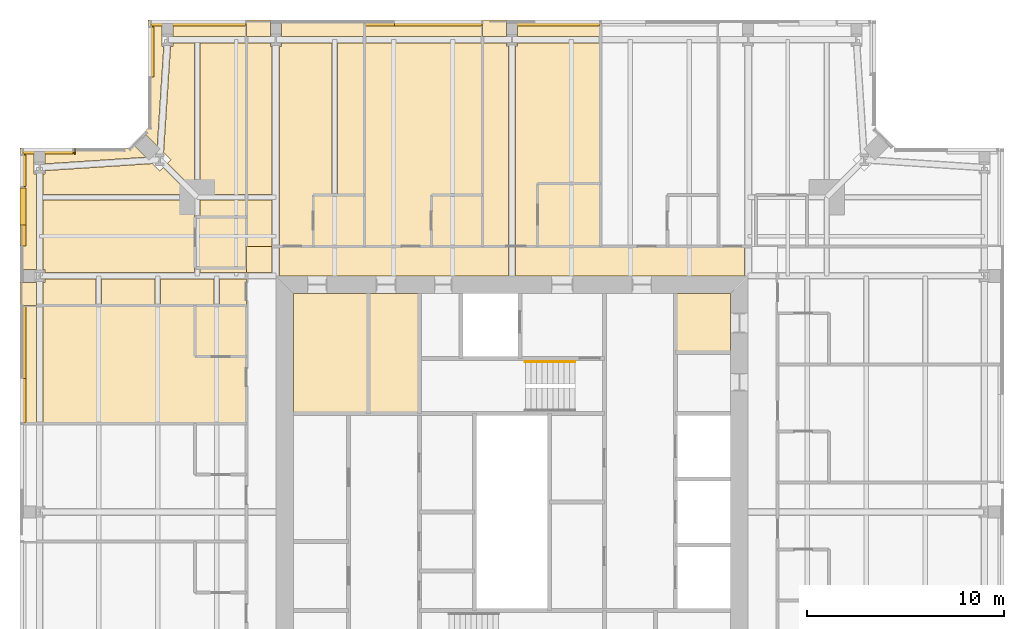
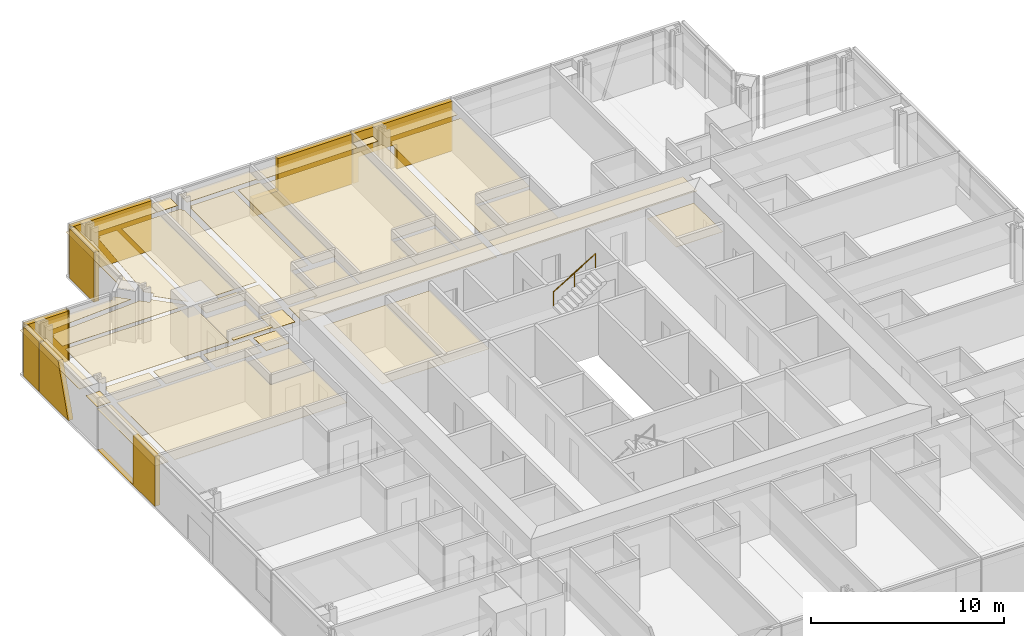
# One storey, part 19 of 20: 49 coverings, 1 railing.
"""IFC4 building model written with IfcOpenShell, lengths in metres."""

import ifcopenshell
import ifcopenshell.guid

model = None  # the IFC model being written
_history = None  # IfcOwnerHistory: only IFC2X3 demands one
_inside = {}  # id of a spatial element -> (the spatial element, [elements in it])
_under = {}  # id of a project, library or spatial element -> (it, [spatial elements below it])
_declared = {}  # id of a project -> (the project, [libraries it declares])
_typed = {}  # id of a type object -> (the type object, [elements of that type])
_made_of = {}  # id of a material, layer set ... -> (it, [elements and type objects made of it])


def new_model(schema):
    """Start an empty IFC model of exactly this schema.

    Asked for "IFC4X3", IfcOpenShell would pick the latest addendum, in which some entities
    have other attributes; the version numbers below select the first issue.
    IFC2X3 requires an IfcOwnerHistory on every rooted entity: one is made here for all.
    """
    global model, _history
    if schema == "IFC4X3":
        model = ifcopenshell.file(schema_version=(4, 3, 0, 0))
    else:
        model = ifcopenshell.file(schema=schema)
    _inside.clear()
    _under.clear()
    _declared.clear()
    _typed.clear()
    _made_of.clear()
    _history = None
    if model.schema == "IFC2X3":
        org = make("IfcOrganization", Name="unknown")
        user = make(
            "IfcPersonAndOrganization",
            ThePerson=make("IfcPerson", FamilyName="unknown"),
            TheOrganization=org,
        )
        app = make(
            "IfcApplication",
            ApplicationDeveloper=org,
            Version="unknown",
            ApplicationFullName="unknown",
            ApplicationIdentifier="unknown",
        )
        _history = make(
            "IfcOwnerHistory",
            OwningUser=user,
            OwningApplication=app,
            ChangeAction="ADDED",
            CreationDate=0,
        )
    return model


def make(cls, **values):
    """One entity of the class cls with the attributes given. An attribute that is None is left unset."""
    return model.create_entity(
        cls, **{name: value for name, value in values.items() if value is not None}
    )


def rooted(cls, **values):
    """An entity with a GlobalId (a new one), such as an element, a storey or a relation."""
    return make(cls, GlobalId=ifcopenshell.guid.new(), OwnerHistory=_history, **values)


def si_unit(unit_type, name, prefix=None):
    """IfcSIUnit, for example si_unit("LENGTHUNIT", "METRE", prefix="MILLI")."""
    return make("IfcSIUnit", UnitType=unit_type, Prefix=prefix, Name=name)


def assignment(units):
    """IfcUnitAssignment: the units of a project."""
    return None if units is None else make("IfcUnitAssignment", Units=units)


def point(xyz):
    """IfcCartesianPoint."""
    return None if xyz is None else make("IfcCartesianPoint", Coordinates=xyz)


def direction(xyz):
    """IfcDirection."""
    return None if xyz is None else make("IfcDirection", DirectionRatios=xyz)


def frame(location, z_axis=None, x_axis=None):
    """IfcAxis2Placement3D, a coordinate frame: its origin and axes. An axis left out is left unset."""
    return make(
        "IfcAxis2Placement3D",
        Location=point(location),
        Axis=direction(z_axis),
        RefDirection=direction(x_axis),
    )


def frame_2d(location, x_axis=None):
    """IfcAxis2Placement2D, a coordinate frame in the plane: its origin and x axis."""
    return make(
        "IfcAxis2Placement2D", Location=point(location), RefDirection=direction(x_axis)
    )


def origin():
    """The frame at (0, 0, 0) with its axes left unset."""
    return frame((0.0, 0.0, 0.0))


def origin_2d():
    """The frame at (0, 0) in the plane with its x axis left unset."""
    return frame_2d((0.0, 0.0))


def place(relative_to, where):
    """IfcLocalPlacement: puts the frame where relative to a parent placement (None: the world)."""
    return make(
        "IfcLocalPlacement", PlacementRelTo=relative_to, RelativePlacement=where
    )


def context(
    kind, dimensions, precision=None, world=None, true_north=None, identifier=None
):
    """IfcGeometricRepresentationContext, for example the 3D "Model" context."""
    return make(
        "IfcGeometricRepresentationContext",
        ContextIdentifier=identifier,
        ContextType=kind,
        CoordinateSpaceDimension=dimensions,
        Precision=precision,
        WorldCoordinateSystem=world,
        TrueNorth=true_north,
    )


def subcontext(parent, identifier, kind, view, scale=None):
    """IfcGeometricRepresentationSubContext, for example "Body" below "Model"."""
    return make(
        "IfcGeometricRepresentationSubContext",
        ContextIdentifier=identifier,
        ContextType=kind,
        ParentContext=parent,
        TargetScale=scale,
        TargetView=view,
    )


def project(units=None, contexts=None):
    """IfcProject with its units and contexts."""
    return rooted(
        "IfcProject",
        Name="project",
        RepresentationContexts=contexts,
        UnitsInContext=assignment(units),
    )


def spatial(cls, under=None, at=None, **own):
    """A site, building, storey or space (cls), placed at a placement, below another one or the project."""
    s = rooted(cls, ObjectPlacement=at, **own)
    if under is not None:
        _under.setdefault(under.id(), (under, []))[1].append(s)
    return s


def polyline(points):
    """IfcPolyline through the points."""
    return make("IfcPolyline", Points=[point(p) for p in points])


def profile(cls, at=None, kind="AREA", **sizes):
    """A parametric profile (cls). Its sizes go by their IFC names, for example OverallWidth=200.0."""
    return make(cls, ProfileType=kind, Position=at, **sizes)


def circle(**sizes):
    """IfcCircleProfileDef."""
    return profile("IfcCircleProfileDef", **sizes)


def outline(outer, holes=None, kind="AREA"):
    """IfcArbitraryClosedProfileDef: a profile drawn as a closed curve; with holes, ...WithVoids."""
    if holes is None:
        return make("IfcArbitraryClosedProfileDef", ProfileType=kind, OuterCurve=outer)
    return make(
        "IfcArbitraryProfileDefWithVoids",
        ProfileType=kind,
        OuterCurve=outer,
        InnerCurves=holes,
    )


def extrude(swept, where, along, depth):
    """IfcExtrudedAreaSolid: the profile swept, set in the frame where, extruded along a direction by depth."""
    return make(
        "IfcExtrudedAreaSolid",
        SweptArea=swept,
        Position=where,
        ExtrudedDirection=direction(along),
        Depth=depth,
    )


def shape(context_of_items, identifier, shape_type, items):
    """IfcShapeRepresentation: the items that make up one representation, for example the "Body"."""
    return make(
        "IfcShapeRepresentation",
        ContextOfItems=context_of_items,
        RepresentationIdentifier=identifier,
        RepresentationType=shape_type,
        Items=items,
    )


def material(Name=None, Category=None):
    """IfcMaterial."""
    return make("IfcMaterial", Name=Name, Category=Category)


def layer(
    of_material, thickness, ventilated=None, Name=None, Category=None, Priority=None
):
    """IfcMaterialLayer: one layer of a wall or slab, of a material (None: an air gap)."""
    return make(
        "IfcMaterialLayer",
        Material=of_material,
        LayerThickness=thickness,
        IsVentilated=ventilated,
        Name=Name,
        Category=Category,
        Priority=Priority,
    )


def layer_set(layers, Name=None):
    """IfcMaterialLayerSet."""
    return make("IfcMaterialLayerSet", MaterialLayers=layers, LayerSetName=Name)


def made_of(thing, what):
    """Note that an element or type object is made of a material, layer set ...; save() writes the relation."""
    if what is not None:
        _made_of.setdefault(what.id(), (what, []))[1].append(thing)
    return thing


def type_object(cls, material=None, **own):
    """A type object (cls), such as IfcWallType, which elements share."""
    return made_of(rooted(cls, **own), material)


def element(
    cls,
    number,
    at=None,
    inside=None,
    cuts=None,
    type_object=None,
    material=None,
    context=None,
    identifier="Body",
    shape_type=None,
    held_by="IfcProductDefinitionShape",
    body=None,
    shapes=None,
    **own,
):
    """One element of the class cls, such as IfcWall. Its Tag is "e" and its number.

    at: its placement. inside: the storey or other place that contains it. cuts: it is an
    opening in that element (IfcRelVoidsElement). A single representation is given by context,
    identifier, shape_type and body (its items); several are given by shapes. held_by: the class
    of the entity that holds the representations. save() writes the other relations.
    """
    e = rooted(cls, Tag="e%d" % number, ObjectPlacement=at, **own)
    if body is not None:
        shapes = [shape(context, identifier, shape_type, body)]
    if shapes is not None:
        e.Representation = make(held_by, Representations=shapes)
    if inside is not None:
        _inside.setdefault(inside.id(), (inside, []))[1].append(e)
    if cuts is not None:
        rooted(
            "IfcRelVoidsElement", RelatingBuildingElement=cuts, RelatedOpeningElement=e
        )
    if type_object is not None:
        _typed.setdefault(type_object.id(), (type_object, []))[1].append(e)
    return made_of(e, material)


def aggregate(whole, parts):
    """IfcRelAggregates: a whole, such as a stair, and the parts it consists of."""
    return rooted("IfcRelAggregates", RelatingObject=whole, RelatedObjects=parts)


def save(model, path):
    """Write the relations noted so far, then the file.

    IfcRelAggregates (storeys below a building ...), IfcRelContainedInSpatialStructure (elements
    in a storey), IfcRelDefinesByType, IfcRelAssociatesMaterial and IfcRelDeclares: one each for
    every whole, place, type object, material and project.
    """
    for whole, parts in _under.values():
        aggregate(whole, parts)
    for where, things in _inside.values():
        rooted(
            "IfcRelContainedInSpatialStructure",
            RelatedElements=things,
            RelatingStructure=where,
        )
    for kind, things in _typed.values():
        rooted("IfcRelDefinesByType", RelatedObjects=things, RelatingType=kind)
    for what, things in _made_of.values():
        rooted("IfcRelAssociatesMaterial", RelatedObjects=things, RelatingMaterial=what)
    for by, libraries in _declared.values():
        rooted("IfcRelDeclares", RelatingContext=by, RelatedDefinitions=libraries)
    model.write(path)


model = new_model("IFC4")

# Units and contexts
model_context = context("Model", 3, precision=1e-05, world=origin(), true_north=direction((0.0, 1.0)))
body_context = subcontext(model_context, "Body", "Model", "MODEL_VIEW")
ifc_project = project(units=[si_unit("LENGTHUNIT", "METRE"), si_unit("AREAUNIT", "SQUARE_METRE"), si_unit("VOLUMEUNIT", "CUBIC_METRE"), si_unit("PLANEANGLEUNIT", "RADIAN"), si_unit("MASSUNIT", "GRAM", prefix="KILO")], contexts=[model_context])

# Site, building, storey
site_placement = place(None, origin())
site = spatial("IfcSite", under=ifc_project, at=site_placement, CompositionType="ELEMENT")
building_placement = place(site_placement, origin())
building = spatial("IfcBuilding", under=site, at=building_placement, Name="Fenwick Lantern Interchange", CompositionType="ELEMENT")
storey_placement = place(building_placement, frame((0.0, 0.0, 249.199951171875)))
storey = spatial("IfcBuildingStorey", under=building, at=storey_placement, Name="L58", CompositionType="ELEMENT", Elevation=249.199951171875)

# Coverings
ifc_material_1 = material(Name="Granite cladding, warm grey flamed finish, on aluminium carrier frame", Category="masonry")
ifc_layer_1 = layer(ifc_material_1, 0.300048828125)
ifc_layer_set_1 = layer_set([ifc_layer_1], Name="BRACE CASING PANEL 300")
covering_type_1 = type_object("IfcCoveringType", Name="BRACE CASING PANEL 300", PredefinedType="CLADDING", material=ifc_layer_set_1)
covering_1_placement = place(storey_placement, frame((43.39990234375, 49.89990234375, 0.0), z_axis=(0.0, 0.0, 1.0), x_axis=(-1.0, 0.0, 0.0)))
element("IfcCovering", 1, at=covering_1_placement, inside=storey, type_object=covering_type_1, Name="Brace casing 09 bay 03a", PredefinedType="CLADDING", context=body_context, shape_type="SweptSolid", body=[
    extrude(outline(polyline([(13.929931640625, 0.0), (17.238037109375, 0.0), (17.238037109375, 1.580078125), (19.56298828125, 1.580078125), (19.56298828125, 0.0), (19.8701171875, 0.0), (19.8701171875, 3.150146484375), (13.929931640625, 3.150146484375), (13.929931640625, 0.0)])), frame((0.0, 0.2099609375, 0.0), z_axis=(0.0, -1.0, 0.0), x_axis=(1.0, 0.0, 0.0)), (0.0, 0.0, 1.0), 0.300048828125),
])
covering_2_placement = place(storey_placement, frame((43.39990234375, 49.89990234375, 0.0), z_axis=(0.0, 0.0, 1.0), x_axis=(-1.0, 0.0, 0.0)))
element("IfcCovering", 2, at=covering_2_placement, inside=storey, type_object=covering_type_1, Name="Brace casing 09 bay 04a", PredefinedType="CLADDING", context=body_context, shape_type="SweptSolid", body=[
    extrude(outline(polyline([(19.929931640625, 0.0), (25.8701171875, 0.0), (25.8701171875, 1.120361328125), (24.372802734375, 1.120361328125), (24.372802734375, 3.150146484375), (19.929931640625, 3.150146484375), (19.929931640625, 0.0)])), frame((0.0, 0.2099609375, 0.0), z_axis=(0.0, -1.0, 0.0), x_axis=(1.0, 0.0, 0.0)), (0.0, 0.0, 1.0), 0.300048828125),
])
covering_3_placement = place(storey_placement, frame((43.39990234375, 49.89990234375, 0.0), z_axis=(0.0, 0.0, 1.0), x_axis=(-1.0, 0.0, 0.0)))
element("IfcCovering", 3, at=covering_3_placement, inside=storey, type_object=covering_type_1, Name="Brace casing 09 bay 06a", PredefinedType="CLADDING", context=body_context, shape_type="SweptSolid", body=[
    extrude(outline(polyline([(31.929931640625, 0.0), (36.739990234375, 0.0), (36.739990234375, 3.150146484375), (31.929931640625, 3.150146484375), (31.929931640625, 0.0)])), frame((0.0, 0.2099609375, 0.0), z_axis=(0.0, -1.0, 0.0), x_axis=(1.0, 0.0, 0.0)), (0.0, 0.0, 1.0), 0.300048828125),
])
covering_4_placement = place(storey_placement, frame((6.60009765625, 49.89990234375, 0.0), z_axis=(0.0, 0.0, 1.0), x_axis=(0.0, -1.0, 0.0)))
element("IfcCovering", 4, at=covering_4_placement, inside=storey, type_object=covering_type_1, Name="Brace casing 10 bay 00a", PredefinedType="CLADDING", context=body_context, shape_type="SweptSolid", body=[
    extrude(outline(polyline([(0.260009765625, 0.0), (2.790771484375, 0.0), (2.790771484375, 3.150146484375), (0.260009765625, 3.150146484375), (0.260009765625, 0.0)])), frame((0.0, 0.2099609375, 0.0), z_axis=(0.0, -1.0, 0.0), x_axis=(1.0, 0.0, 0.0)), (0.0, 0.0, 1.0), 0.300048828125),
])
covering_5_placement = place(storey_placement, frame((5.54150390625, 43.39990234375, 0.0), z_axis=(0.0, 0.0, 1.0), x_axis=(-1.0, 0.0, 0.0)))
element("IfcCovering", 5, at=covering_5_placement, inside=storey, type_object=covering_type_1, Name="Brace casing 12 bay 00a", PredefinedType="CLADDING", context=body_context, shape_type="SweptSolid", body=[
    extrude(outline(polyline([(2.741455078125, 0.0), (2.790771484375, 0.0), (2.790771484375, 3.150146484375), (2.741455078125, 3.150146484375), (2.741455078125, 0.0)])), frame((0.0, 0.2099609375, 0.0), z_axis=(0.0, -1.0, 0.0), x_axis=(1.0, 0.0, 0.0)), (0.0, 0.0, 1.0), 0.300048828125),
])
covering_6_placement = place(storey_placement, frame((5.54150390625, 43.39990234375, 0.0), z_axis=(0.0, 0.0, 1.0), x_axis=(-1.0, 0.0, 0.0)))
element("IfcCovering", 6, at=covering_6_placement, inside=storey, type_object=covering_type_1, Name="Brace casing 12 bay 01a", PredefinedType="CLADDING", context=body_context, shape_type="SweptSolid", body=[
    extrude(outline(polyline([(2.850830078125, 0.0), (5.38134765625, 0.0), (5.38134765625, 3.150146484375), (2.850830078125, 3.150146484375), (2.850830078125, 0.0)])), frame((0.0, 0.2099609375, 0.0), z_axis=(0.0, -1.0, 0.0), x_axis=(1.0, 0.0, 0.0)), (0.0, 0.0, 1.0), 0.300048828125),
])
covering_7_placement = place(storey_placement, frame((0.10009765625, 43.39990234375, 0.0), z_axis=(0.0, 0.0, 1.0), x_axis=(0.0, -1.0, 0.0)))
element("IfcCovering", 7, at=covering_7_placement, inside=storey, type_object=covering_type_1, Name="Brace casing 13 bay 00a", PredefinedType="CLADDING", context=body_context, shape_type="SweptSolid", body=[
    extrude(outline(polyline([(0.260009765625, 0.0), (1.8701171875, 0.0), (1.8701171875, 3.150146484375), (0.260009765625, 3.150146484375), (0.260009765625, 0.0)])), frame((0.0, 0.2099609375, 0.0), z_axis=(0.0, -1.0, 0.0), x_axis=(1.0, 0.0, 0.0)), (0.0, 0.0, 1.0), 0.300048828125),
])
covering_8_placement = place(storey_placement, frame((0.10009765625, 43.39990234375, 0.0), z_axis=(0.0, 0.0, 1.0), x_axis=(0.0, -1.0, 0.0)))
element("IfcCovering", 8, at=covering_8_placement, inside=storey, type_object=covering_type_1, Name="Brace casing 13 bay 01a", PredefinedType="CLADDING", context=body_context, shape_type="SweptSolid", body=[
    extrude(outline(polyline([(1.929931640625, 0.0), (4.890869140625, 0.0), (3.827392578125, 3.150146484375), (1.929931640625, 3.150146484375), (1.929931640625, 0.0)])), frame((0.0, 0.2099609375, 0.0), z_axis=(0.0, -1.0, 0.0), x_axis=(1.0, 0.0, 0.0)), (0.0, 0.0, 1.0), 0.300048828125),
])
covering_9_placement = place(storey_placement, frame((0.10009765625, 43.39990234375, 0.0), z_axis=(0.0, 0.0, 1.0), x_axis=(0.0, -1.0, 0.0)))
element("IfcCovering", 9, at=covering_9_placement, inside=storey, type_object=covering_type_1, Name="Brace casing 13 bay 02a", PredefinedType="CLADDING", context=body_context, shape_type="SweptSolid", body=[
    extrude(outline(polyline([(7.929931640625, 0.0), (13.8701171875, 0.0), (13.8701171875, 3.150146484375), (11.60498046875, 3.150146484375), (11.60498046875, 0.00439453125), (7.929931640625, 0.00439453125), (7.929931640625, 0.0)])), frame((0.0, 0.2099609375, 0.0), z_axis=(0.0, -1.0, 0.0), x_axis=(1.0, 0.0, 0.0)), (0.0, 0.0, 1.0), 0.300048828125),
])

# Railing
ifc_material_2 = material(Name="Stainless steel handrail", Category="steel")
railing_type = type_object("IfcRailingType", Name="HANDRAIL 900", PredefinedType="HANDRAIL", material=ifc_material_2)
railing_placement = place(storey_placement, frame((25.679931640625, 32.6259765625, 1.8701171875)))
element("IfcRailing", 10, at=railing_placement, inside=storey, type_object=railing_type, Name="L58/STAIR/ST2/HR2", PredefinedType="HANDRAIL", context=body_context, shape_type="SweptSolid", body=[
    extrude(circle(Radius=0.02392578125, at=origin_2d()), frame((0.0, 0.0, 0.8759765625), z_axis=(0.85478489116, 0.0, 0.518982456201), x_axis=(0.0, 1.0, 0.0)), (0.0, 0.0, 1.0), 2.9482421875),
    extrude(circle(Radius=0.02099609375, at=origin_2d()), origin(), (0.0, 0.0, 1.0), 0.851806640625),
    extrude(circle(Radius=0.02099609375, at=origin_2d()), frame((1.260009765625, 0.0, 0.76513671875)), (0.0, 0.0, 1.0), 0.851806640625),
    extrude(circle(Radius=0.02099609375, at=origin_2d()), frame((2.52001953125, 0.0, 1.530029296875)), (0.0, 0.0, 1.0), 0.851806640625),
])

# Coverings
ifc_material_3 = material(Name="Moisture resistant gypsum board on suspended frame, painted")
ifc_layer_2 = layer(ifc_material_3, 0.014892578125)
ifc_layer_set_2 = layer_set([ifc_layer_2], Name="MOISTURE RESISTANT CEILING 15")
covering_type_2 = type_object("IfcCoveringType", Name="MOISTURE RESISTANT CEILING 15", PredefinedType="CEILING", material=ifc_layer_set_2)
covering_10_placement = place(storey_placement, frame((0.0, 0.0, 2.60009765625)))
element("IfcCovering", 11, at=covering_10_placement, inside=storey, type_object=covering_type_2, Name="Men's WC ceiling", PredefinedType="CEILING", context=body_context, shape_type="SweptSolid", body=[
    extrude(outline(polyline([(20.300048828125, 36.10009765625), (17.699951171875, 36.10009765625), (17.699951171875, 30.0), (20.300048828125, 30.0), (20.300048828125, 36.10009765625)])), origin(), (0.0, 0.0, 1.0), 0.014892578125),
])
covering_11_placement = place(storey_placement, frame((0.0, 0.0, 2.60009765625)))
element("IfcCovering", 12, at=covering_11_placement, inside=storey, type_object=covering_type_2, Name="Women's WC ceiling", PredefinedType="CEILING", context=body_context, shape_type="SweptSolid", body=[
    extrude(outline(polyline([(17.699951171875, 36.10009765625), (13.89990234375, 36.10009765625), (13.89990234375, 30.0), (17.699951171875, 30.0), (17.699951171875, 36.10009765625)])), origin(), (0.0, 0.0, 1.0), 0.014892578125),
])
covering_12_placement = place(storey_placement, frame((0.0, 0.0, 2.60009765625)))
element("IfcCovering", 13, at=covering_12_placement, inside=storey, type_object=covering_type_2, Name="Accessible WC ceiling", PredefinedType="CEILING", context=body_context, shape_type="SweptSolid", body=[
    extrude(outline(polyline([(36.10009765625, 36.10009765625), (33.300048828125, 36.10009765625), (33.300048828125, 33.10009765625), (36.10009765625, 33.10009765625), (36.10009765625, 36.10009765625)])), origin(), (0.0, 0.0, 1.0), 0.014892578125),
])
covering_13_placement = place(storey_placement, frame((0.0, 0.0, 2.400146484375)))
element("IfcCovering", 14, at=covering_13_placement, inside=storey, type_object=covering_type_2, Name="En-suite 5813 ceiling", PredefinedType="CEILING", context=body_context, shape_type="SweptSolid", body=[
    extrude(outline(polyline([(29.5, 41.699951171875), (26.300048828125, 41.699951171875), (26.300048828125, 38.5), (29.5, 38.5), (29.5, 41.699951171875)])), origin(), (0.0, 0.0, 1.0), 0.014892578125),
])
covering_14_placement = place(storey_placement, frame((0.0, 0.0, 2.400146484375)))
element("IfcCovering", 15, at=covering_14_placement, inside=storey, type_object=covering_type_2, Name="En-suite 5814 ceiling", PredefinedType="CEILING", context=body_context, shape_type="SweptSolid", body=[
    extrude(outline(polyline([(23.5, 41.10009765625), (20.89990234375, 41.10009765625), (20.89990234375, 38.5), (23.5, 38.5), (23.5, 41.10009765625)])), origin(), (0.0, 0.0, 1.0), 0.014892578125),
])
covering_15_placement = place(storey_placement, frame((0.0, 0.0, 2.400146484375)))
element("IfcCovering", 16, at=covering_15_placement, inside=storey, type_object=covering_type_2, Name="En-suite 5815 ceiling", PredefinedType="CEILING", context=body_context, shape_type="SweptSolid", body=[
    extrude(outline(polyline([(17.5, 41.10009765625), (14.89990234375, 41.10009765625), (14.89990234375, 38.5), (17.5, 38.5), (17.5, 41.10009765625)])), origin(), (0.0, 0.0, 1.0), 0.014892578125),
])
covering_16_placement = place(storey_placement, frame((0.0, 0.0, 2.400146484375)))
element("IfcCovering", 17, at=covering_16_placement, inside=storey, type_object=covering_type_2, Name="En-suite 5816 ceiling", PredefinedType="CEILING", context=body_context, shape_type="SweptSolid", body=[
    extrude(outline(polyline([(8.89990234375, 40.0), (8.89990234375, 37.39990234375), (11.5, 37.39990234375), (11.5, 40.0), (8.89990234375, 40.0)])), origin(), (0.0, 0.0, 1.0), 0.014892578125),
])
covering_17_placement = place(storey_placement, frame((0.0, 0.0, 2.400146484375)))
element("IfcCovering", 18, at=covering_17_placement, inside=storey, type_object=covering_type_2, Name="En-suite 5817 ceiling", PredefinedType="CEILING", context=body_context, shape_type="SweptSolid", body=[
    extrude(outline(polyline([(8.89990234375, 35.5), (8.89990234375, 32.89990234375), (11.5, 32.89990234375), (11.5, 35.5), (8.89990234375, 35.5)])), origin(), (0.0, 0.0, 1.0), 0.014892578125),
])
ifc_material_4 = material(Name="Gypsum plasterboard on suspended frame, painted")
ifc_layer_3 = layer(ifc_material_4, 0.014892578125)
ifc_layer_set_3 = layer_set([ifc_layer_3], Name="PLASTERBOARD CEILING 15")
covering_type_3 = type_object("IfcCoveringType", Name="PLASTERBOARD CEILING 15", PredefinedType="CEILING", material=ifc_layer_set_3)
covering_18_placement = place(storey_placement, frame((0.0, 0.0, 2.572998046875)))
element("IfcCovering", 19, at=covering_18_placement, inside=storey, type_object=covering_type_3, Name="Corridor ceiling", PredefinedType="CEILING", context=body_context, shape_type="SweptSolid", body=[
    extrude(outline(polyline([(24.816162109375, 38.5), (13.183837890625, 38.5), (13.183837890625, 37.0), (24.816162109375, 37.0), (24.816162109375, 38.5)])), origin(), (0.0, 0.0, 1.0), 0.014892578125),
])
covering_19_placement = place(storey_placement, frame((0.0, 0.0, 2.572998046875)))
element("IfcCovering", 20, at=covering_19_placement, inside=storey, type_object=covering_type_3, Name="Corridor ceiling", PredefinedType="CEILING", context=body_context, shape_type="SweptSolid", body=[
    extrude(outline(polyline([(36.816162109375, 38.5), (25.183837890625, 38.5), (25.183837890625, 37.0), (36.816162109375, 37.0), (36.816162109375, 38.5)])), origin(), (0.0, 0.0, 1.0), 0.014892578125),
])
covering_20_placement = place(storey_placement, frame((0.0, 0.0, 2.572998046875)))
element("IfcCovering", 21, at=covering_20_placement, inside=storey, type_object=covering_type_3, Name="Corridor ceiling", PredefinedType="CEILING", context=body_context, shape_type="SweptSolid", body=[
    extrude(outline(polyline([(12.816162109375, 38.5), (11.5, 38.5), (11.5, 37.166015625), (12.816162109375, 37.166015625), (12.816162109375, 38.5)])), origin(), (0.0, 0.0, 1.0), 0.014892578125),
])
covering_21_placement = place(storey_placement, frame((0.0, 0.0, 2.572998046875)))
element("IfcCovering", 22, at=covering_21_placement, inside=storey, type_object=covering_type_3, Name="Guest room 5813 ceiling", PredefinedType="CEILING", context=body_context, shape_type="SweptSolid", body=[
    extrude(outline(polyline([(25.27099609375, 48.6845703125), (25.183837890625, 48.6845703125), (25.183837890625, 38.5), (26.300048828125, 38.5), (26.300048828125, 41.699951171875), (29.5, 41.699951171875), (29.5, 48.82763671875), (25.27099609375, 48.82763671875), (25.27099609375, 48.6845703125)])), origin(), (0.0, 0.0, 1.0), 0.014892578125),
])
covering_22_placement = place(storey_placement, frame((0.0, 0.0, 2.572998046875)))
element("IfcCovering", 23, at=covering_22_placement, inside=storey, type_object=covering_type_3, Name="Guest room 5813 ceiling", PredefinedType="CEILING", context=body_context, shape_type="SweptSolid", body=[
    extrude(outline(polyline([(24.72900390625, 48.6845703125), (24.72900390625, 48.82763671875), (23.5, 48.82763671875), (23.5, 38.5), (24.816162109375, 38.5), (24.816162109375, 48.6845703125), (24.72900390625, 48.6845703125)])), origin(), (0.0, 0.0, 1.0), 0.014892578125),
])
covering_23_placement = place(storey_placement, frame((0.0, 0.0, 2.572998046875)))
element("IfcCovering", 24, at=covering_23_placement, inside=storey, type_object=covering_type_3, Name="Guest room 5813 ceiling", PredefinedType="CEILING", context=body_context, shape_type="SweptSolid", body=[
    extrude(outline(polyline([(25.27099609375, 50.0), (25.27099609375, 49.17236328125), (29.5, 49.17236328125), (29.5, 50.0), (25.27099609375, 50.0)])), origin(), (0.0, 0.0, 1.0), 0.014892578125),
])
covering_24_placement = place(storey_placement, frame((0.0, 0.0, 2.572998046875)))
element("IfcCovering", 25, at=covering_24_placement, inside=storey, type_object=covering_type_3, Name="Guest room 5813 ceiling", PredefinedType="CEILING", context=body_context, shape_type="SweptSolid", body=[
    extrude(outline(polyline([(24.72900390625, 50.0), (23.5, 50.0), (23.5, 49.17236328125), (24.72900390625, 49.17236328125), (24.72900390625, 50.0)])), origin(), (0.0, 0.0, 1.0), 0.014892578125),
])
covering_25_placement = place(storey_placement, frame((0.0, 0.0, 2.572998046875)))
element("IfcCovering", 26, at=covering_25_placement, inside=storey, type_object=covering_type_3, Name="Guest room 5814 ceiling", PredefinedType="CEILING", context=body_context, shape_type="SweptSolid", body=[
    extrude(outline(polyline([(17.5, 48.82763671875), (17.5, 38.5), (20.89990234375, 38.5), (20.89990234375, 41.10009765625), (23.5, 41.10009765625), (23.5, 48.82763671875), (17.5, 48.82763671875)])), origin(), (0.0, 0.0, 1.0), 0.014892578125),
])
covering_26_placement = place(storey_placement, frame((0.0, 0.0, 2.572998046875)))
element("IfcCovering", 27, at=covering_26_placement, inside=storey, type_object=covering_type_3, Name="Guest room 5814 ceiling", PredefinedType="CEILING", context=body_context, shape_type="SweptSolid", body=[
    extrude(outline(polyline([(17.5, 50.0), (17.5, 49.17236328125), (23.5, 49.17236328125), (23.5, 50.0), (17.5, 50.0)])), origin(), (0.0, 0.0, 1.0), 0.014892578125),
])
covering_27_placement = place(storey_placement, frame((0.0, 0.0, 2.699951171875)))
element("IfcCovering", 28, at=covering_27_placement, inside=storey, type_object=covering_type_3, Name="Guest room 5815 ceiling", PredefinedType="CEILING", context=body_context, shape_type="SweptSolid", body=[
    extrude(outline(polyline([(13.27734375, 48.66552734375), (13.183837890625, 48.66552734375), (13.183837890625, 38.5), (14.89990234375, 38.5), (14.89990234375, 41.10009765625), (15.865478515625, 41.10009765625), (15.865478515625, 48.82763671875), (13.27734375, 48.82763671875), (13.27734375, 48.66552734375)])), origin(), (0.0, 0.0, 1.0), 0.01513671875),
])
covering_28_placement = place(storey_placement, frame((0.0, 0.0, 2.699951171875)))
element("IfcCovering", 29, at=covering_28_placement, inside=storey, type_object=covering_type_3, Name="Guest room 5815 ceiling", PredefinedType="CEILING", context=body_context, shape_type="SweptSolid", body=[
    extrude(outline(polyline([(17.5, 41.10009765625), (17.5, 48.82763671875), (16.134521484375, 48.82763671875), (16.134521484375, 41.10009765625), (17.5, 41.10009765625)])), origin(), (0.0, 0.0, 1.0), 0.01513671875),
])
covering_29_placement = place(storey_placement, frame((0.0, 0.0, 2.699951171875)))
element("IfcCovering", 30, at=covering_29_placement, inside=storey, type_object=covering_type_3, Name="Guest room 5815 ceiling", PredefinedType="CEILING", context=body_context, shape_type="SweptSolid", body=[
    extrude(outline(polyline([(12.72265625, 48.66552734375), (12.72265625, 48.82763671875), (11.5, 48.82763671875), (11.5, 41.134521484375), (12.816162109375, 41.134521484375), (12.816162109375, 48.66552734375), (12.72265625, 48.66552734375)])), origin(), (0.0, 0.0, 1.0), 0.01513671875),
])
covering_30_placement = place(storey_placement, frame((0.0, 0.0, 2.699951171875)))
element("IfcCovering", 31, at=covering_30_placement, inside=storey, type_object=covering_type_3, Name="Guest room 5815 ceiling", PredefinedType="CEILING", context=body_context, shape_type="SweptSolid", body=[
    extrude(outline(polyline([(13.27734375, 50.0), (13.27734375, 49.17236328125), (17.5, 49.17236328125), (17.5, 50.0), (13.27734375, 50.0)])), origin(), (0.0, 0.0, 1.0), 0.01513671875),
])
covering_31_placement = place(storey_placement, frame((0.0, 0.0, 2.699951171875)))
element("IfcCovering", 32, at=covering_31_placement, inside=storey, type_object=covering_type_3, Name="Guest room 5815 ceiling", PredefinedType="CEILING", context=body_context, shape_type="SweptSolid", body=[
    extrude(outline(polyline([(11.5, 38.5), (12.816162109375, 38.5), (12.816162109375, 40.865478515625), (11.5, 40.865478515625), (11.5, 38.5)])), origin(), (0.0, 0.0, 1.0), 0.01513671875),
])
covering_32_placement = place(storey_placement, frame((0.0, 0.0, 2.699951171875)))
element("IfcCovering", 33, at=covering_32_placement, inside=storey, type_object=covering_type_3, Name="Guest room 5815 ceiling", PredefinedType="CEILING", context=body_context, shape_type="SweptSolid", body=[
    extrude(outline(polyline([(12.72265625, 50.0), (11.5, 50.0), (11.5, 49.17236328125), (12.72265625, 49.17236328125), (12.72265625, 50.0)])), origin(), (0.0, 0.0, 1.0), 0.01513671875),
])
covering_33_placement = place(storey_placement, frame((0.0, 0.0, 2.699951171875)))
element("IfcCovering", 34, at=covering_33_placement, inside=storey, type_object=covering_type_3, Name="Guest suite 5816 ceiling", PredefinedType="CEILING", context=body_context, shape_type="SweptSolid", body=[
    extrude(outline(polyline([(1.27734375, 37.33447265625), (1.27734375, 37.166015625), (8.865478515625, 37.166015625), (8.865478515625, 40.865478515625), (1.17236328125, 40.865478515625), (1.17236328125, 37.33447265625), (1.27734375, 37.33447265625)])), origin(), (0.0, 0.0, 1.0), 0.01513671875),
])
covering_34_placement = place(storey_placement, frame((0.0, 0.0, 2.699951171875)))
element("IfcCovering", 35, at=covering_34_placement, inside=storey, type_object=covering_type_3, Name="Guest suite 5816 ceiling", PredefinedType="CEILING", context=body_context, shape_type="SweptSolid", body=[
    extrude(outline(polyline([(11.5, 41.134521484375), (11.5, 48.82763671875), (9.134521484375, 48.82763671875), (9.134521484375, 41.134521484375), (11.5, 41.134521484375)])), origin(), (0.0, 0.0, 1.0), 0.01513671875),
])
covering_35_placement = place(storey_placement, frame((0.0, 0.0, 2.699951171875)))
element("IfcCovering", 36, at=covering_35_placement, inside=storey, type_object=covering_type_3, Name="Guest suite 5816 ceiling", PredefinedType="CEILING", context=body_context, shape_type="SweptSolid", body=[
    extrude(outline(polyline([(1.27734375, 42.16552734375), (1.17236328125, 42.16552734375), (1.17236328125, 41.134521484375), (8.648681640625, 41.134521484375), (7.28271484375, 42.500244140625), (7.10009765625, 42.3173828125), (6.715576171875, 42.701904296875), (1.27734375, 42.345458984375), (1.27734375, 42.16552734375)])), origin(), (0.0, 0.0, 1.0), 0.01513671875),
])
covering_36_placement = place(storey_placement, frame((0.0, 0.0, 2.699951171875)))
element("IfcCovering", 37, at=covering_36_placement, inside=storey, type_object=covering_type_3, Name="Guest suite 5816 ceiling", PredefinedType="CEILING", context=body_context, shape_type="SweptSolid", body=[
    extrude(outline(polyline([(7.77734375, 48.66552734375), (7.65087890625, 48.66552734375), (7.298095703125, 43.284423828125), (7.6826171875, 42.89990234375), (7.499755859375, 42.71728515625), (8.865478515625, 41.351318359375), (8.865478515625, 48.82763671875), (7.77734375, 48.82763671875), (7.77734375, 48.66552734375)])), origin(), (0.0, 0.0, 1.0), 0.01513671875),
])
covering_37_placement = place(storey_placement, frame((0.0, 0.0, 2.699951171875)))
element("IfcCovering", 38, at=covering_37_placement, inside=storey, type_object=covering_type_3, Name="Guest suite 5816 ceiling", PredefinedType="CEILING", context=body_context, shape_type="SweptSolid", body=[
    extrude(outline(polyline([(0.0, 37.33447265625), (0.82763671875, 37.33447265625), (0.82763671875, 42.16552734375), (0.72265625, 42.16552734375), (0.72265625, 43.5), (0.0, 43.5), (0.0, 37.33447265625)])), origin(), (0.0, 0.0, 1.0), 0.01513671875),
])
covering_38_placement = place(storey_placement, frame((0.0, 0.0, 2.699951171875)))
element("IfcCovering", 39, at=covering_38_placement, inside=storey, type_object=covering_type_3, Name="Guest suite 5816 ceiling", PredefinedType="CEILING", context=body_context, shape_type="SweptSolid", body=[
    extrude(outline(polyline([(7.30517578125, 48.66552734375), (7.22265625, 48.66552734375), (7.22265625, 50.0), (6.5, 50.0), (6.5, 44.5), (6.291259765625, 44.291259765625), (6.9736328125, 43.60888671875), (7.30517578125, 48.66552734375)])), origin(), (0.0, 0.0, 1.0), 0.01513671875),
])
covering_39_placement = place(storey_placement, frame((0.0, 0.0, 2.699951171875)))
element("IfcCovering", 40, at=covering_39_placement, inside=storey, type_object=covering_type_3, Name="Guest suite 5816 ceiling", PredefinedType="CEILING", context=body_context, shape_type="SweptSolid", body=[
    extrude(outline(polyline([(4.134521484375, 35.5), (6.865478515625, 35.5), (6.865478515625, 36.833984375), (4.134521484375, 36.833984375), (4.134521484375, 35.5)])), origin(), (0.0, 0.0, 1.0), 0.01513671875),
])
covering_40_placement = place(storey_placement, frame((0.0, 0.0, 2.699951171875)))
element("IfcCovering", 41, at=covering_40_placement, inside=storey, type_object=covering_type_3, Name="Guest suite 5816 ceiling", PredefinedType="CEILING", context=body_context, shape_type="SweptSolid", body=[
    extrude(outline(polyline([(7.134521484375, 35.5), (9.865478515625, 35.5), (9.865478515625, 36.833984375), (7.134521484375, 36.833984375), (7.134521484375, 35.5)])), origin(), (0.0, 0.0, 1.0), 0.01513671875),
])
covering_41_placement = place(storey_placement, frame((0.0, 0.0, 2.699951171875)))
element("IfcCovering", 42, at=covering_41_placement, inside=storey, type_object=covering_type_3, Name="Guest suite 5816 ceiling", PredefinedType="CEILING", context=body_context, shape_type="SweptSolid", body=[
    extrude(outline(polyline([(1.17236328125, 35.5), (3.865478515625, 35.5), (3.865478515625, 36.833984375), (1.27734375, 36.833984375), (1.27734375, 36.66552734375), (1.17236328125, 36.66552734375), (1.17236328125, 35.5)])), origin(), (0.0, 0.0, 1.0), 0.01513671875),
])
covering_42_placement = place(storey_placement, frame((0.0, 0.0, 2.699951171875)))
element("IfcCovering", 43, at=covering_42_placement, inside=storey, type_object=covering_type_3, Name="Guest suite 5816 ceiling", PredefinedType="CEILING", context=body_context, shape_type="SweptSolid", body=[
    extrude(outline(polyline([(1.27734375, 43.5), (1.27734375, 42.69091796875), (6.39111328125, 43.0263671875), (5.708740234375, 43.708740234375), (5.5, 43.5), (1.27734375, 43.5)])), origin(), (0.0, 0.0, 1.0), 0.01513671875),
])
covering_43_placement = place(storey_placement, frame((0.0, 0.0, 2.699951171875)))
element("IfcCovering", 44, at=covering_43_placement, inside=storey, type_object=covering_type_3, Name="Guest suite 5816 ceiling", PredefinedType="CEILING", context=body_context, shape_type="SweptSolid", body=[
    extrude(outline(polyline([(7.77734375, 50.0), (7.77734375, 49.17236328125), (11.5, 49.17236328125), (11.5, 50.0), (7.77734375, 50.0)])), origin(), (0.0, 0.0, 1.0), 0.01513671875),
])
covering_44_placement = place(storey_placement, frame((0.0, 0.0, 2.699951171875)))
element("IfcCovering", 45, at=covering_44_placement, inside=storey, type_object=covering_type_3, Name="Guest suite 5816 ceiling", PredefinedType="CEILING", context=body_context, shape_type="SweptSolid", body=[
    extrude(outline(polyline([(11.5, 40.0), (11.5, 40.865478515625), (9.134521484375, 40.865478515625), (9.134521484375, 40.0), (11.5, 40.0)])), origin(), (0.0, 0.0, 1.0), 0.01513671875),
])
covering_45_placement = place(storey_placement, frame((0.0, 0.0, 2.699951171875)))
element("IfcCovering", 46, at=covering_45_placement, inside=storey, type_object=covering_type_3, Name="Guest suite 5816 ceiling", PredefinedType="CEILING", context=body_context, shape_type="SweptSolid", body=[
    extrude(outline(polyline([(11.5, 35.5), (11.5, 36.833984375), (10.134521484375, 36.833984375), (10.134521484375, 35.5), (11.5, 35.5)])), origin(), (0.0, 0.0, 1.0), 0.01513671875),
])
covering_46_placement = place(storey_placement, frame((0.0, 0.0, 2.699951171875)))
element("IfcCovering", 47, at=covering_46_placement, inside=storey, type_object=covering_type_3, Name="Guest suite 5816 ceiling", PredefinedType="CEILING", context=body_context, shape_type="SweptSolid", body=[
    extrude(outline(polyline([(0.0, 35.5), (0.82763671875, 35.5), (0.82763671875, 36.66552734375), (0.0, 36.66552734375), (0.0, 35.5)])), origin(), (0.0, 0.0, 1.0), 0.01513671875),
])
covering_47_placement = place(storey_placement, frame((0.0, 0.0, 2.699951171875)))
element("IfcCovering", 48, at=covering_47_placement, inside=storey, type_object=covering_type_3, Name="Guest suite 5816 ceiling", PredefinedType="CEILING", context=body_context, shape_type="SweptSolid", body=[
    extrude(outline(polyline([(11.5, 37.39990234375), (9.134521484375, 37.39990234375), (9.134521484375, 37.166015625), (11.5, 37.166015625), (11.5, 37.39990234375)])), origin(), (0.0, 0.0, 1.0), 0.01513671875),
])
covering_48_placement = place(storey_placement, frame((0.0, 0.0, 2.572998046875)))
element("IfcCovering", 49, at=covering_48_placement, inside=storey, type_object=covering_type_3, Name="Guest room 5817 ceiling", PredefinedType="CEILING", context=body_context, shape_type="SweptSolid", body=[
    extrude(outline(polyline([(1.17236328125, 29.5), (11.5, 29.5), (11.5, 32.89990234375), (8.89990234375, 32.89990234375), (8.89990234375, 35.5), (1.17236328125, 35.5), (1.17236328125, 29.5)])), origin(), (0.0, 0.0, 1.0), 0.014892578125),
])
covering_49_placement = place(storey_placement, frame((0.0, 0.0, 2.572998046875)))
element("IfcCovering", 50, at=covering_49_placement, inside=storey, type_object=covering_type_3, Name="Guest room 5817 ceiling", PredefinedType="CEILING", context=body_context, shape_type="SweptSolid", body=[
    extrude(outline(polyline([(0.0, 29.5), (0.82763671875, 29.5), (0.82763671875, 35.5), (0.0, 35.5), (0.0, 29.5)])), origin(), (0.0, 0.0, 1.0), 0.014892578125),
])

save(model, "model.ifc")
